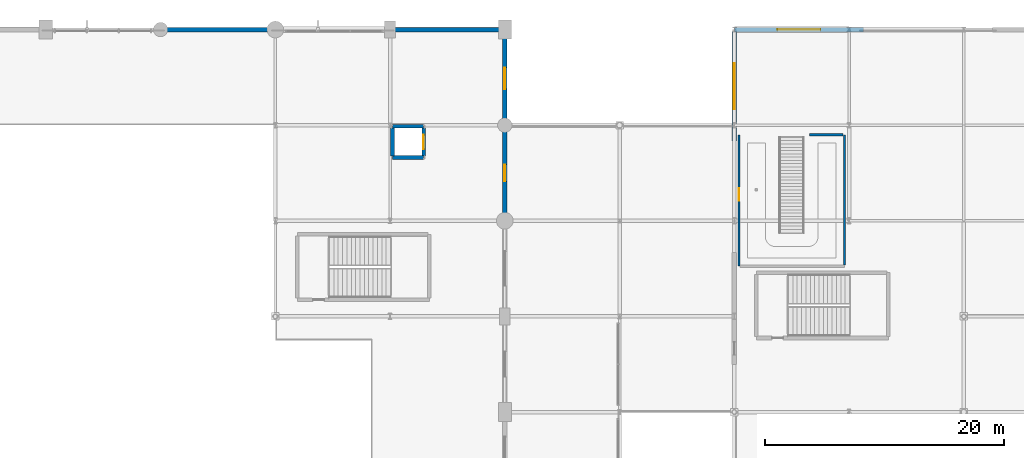
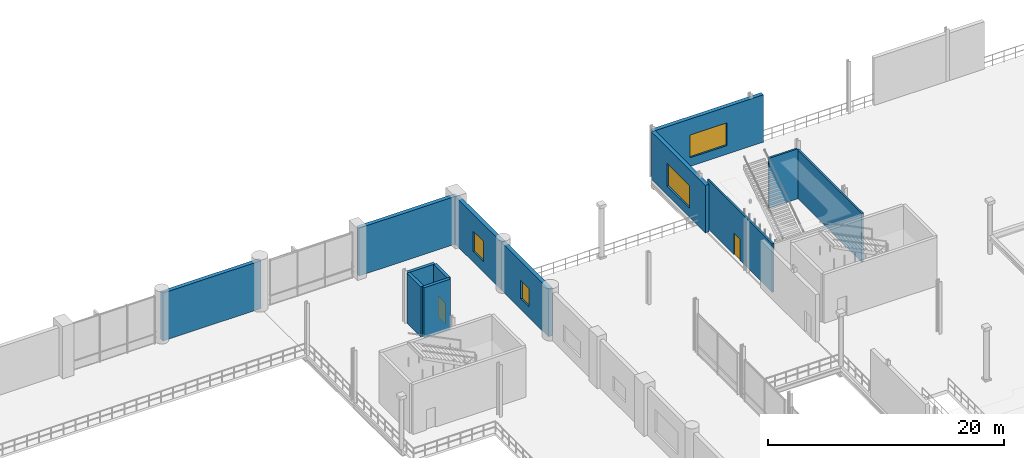
# One storey, part 86 of 129: 13 walls, 4 windows, 2 doors, 6 openings.
"""IFC4 building model written with IfcOpenShell, lengths in metres."""

from ifc_helpers import new_model, si_unit, direction, frame, frame_2d, origin, place, context, subcontext, project, spatial, rectangle, extrude, material, layer, layer_set, type_object, element, fill, save


model = new_model("IFC4")

# Units and contexts
model_context = context("Model", 3, precision=1e-05, world=origin(), true_north=direction((0.0, 1.0)))
body_context = subcontext(model_context, "Body", "Model", "MODEL_VIEW")
ifc_project = project(units=[si_unit("LENGTHUNIT", "METRE"), si_unit("AREAUNIT", "SQUARE_METRE"), si_unit("VOLUMEUNIT", "CUBIC_METRE"), si_unit("PLANEANGLEUNIT", "RADIAN"), si_unit("MASSUNIT", "GRAM", prefix="KILO")], contexts=[model_context])

# Site, building, storey
site_placement = place(None, origin())
site = spatial("IfcSite", under=ifc_project, at=site_placement, CompositionType="ELEMENT")
building_placement = place(site_placement, origin())
building = spatial("IfcBuilding", under=site, at=building_placement, Name="Danafjord Basin Convention Centre", CompositionType="ELEMENT")
storey_placement = place(building_placement, frame((0.0, 0.0, 6.0)))
storey = spatial("IfcBuildingStorey", under=building, at=storey_placement, Name="L01", CompositionType="ELEMENT", Elevation=6.0)

# Walls
ifc_material_1 = material(Name="Concrete C40/50", Category="concrete")
ifc_layer_1 = layer(ifc_material_1, 0.300048828125)
ifc_layer_set_1 = layer_set([ifc_layer_1], Name="Concrete C40/50")
wall_type_1 = type_object("IfcWallType", Name="WALL-CW-CORE300", PredefinedType="SHEAR", material=ifc_layer_set_1)
for number, where, z_axis, x_axis, name in (
    (1, (108.39990234375, 135.89990234375, 0.0), (0.0, 0.0, 1.0), (-1.0, 0.0, 0.0), "Lift LF-P04 shaft shear wall"),
    (2, (105.800048828125, 133.300048828125, 0.0), (0.0, 0.0, 1.0), (1.0, 0.0, 0.0), "Lift LF-P04 shaft shear wall"),
):
    element("IfcWall", number, at=place(storey_placement, frame(where, z_axis=z_axis, x_axis=x_axis)), inside=storey, type_object=wall_type_1, Name=name, PredefinedType="SHEAR", context=body_context, shape_type="SweptSolid", body=[
        extrude(rectangle(XDim=2.599853515625, YDim=0.300048828125, at=frame_2d((1.2998046875, 0.0))), origin(), (0.0, 0.0, 1.0), 5.169921875),
    ])

# Wall, opening, door
wall_1_placement = place(storey_placement, frame((108.39990234375, 133.43505859375, 0.0), z_axis=(0.0, 0.0, 1.0), x_axis=(0.0, 1.0, 0.0)))
wall_1 = element("IfcWall", 3, at=wall_1_placement, inside=storey, type_object=wall_type_1, Name="Lift LF-P04 shaft shear wall", PredefinedType="SHEAR", context=body_context, shape_type="SweptSolid", body=[
    extrude(rectangle(XDim=2.329833984375, YDim=0.300048828125, at=frame_2d((1.1650390625, 0.0))), origin(), (0.0, 0.0, 1.0), 5.169921875),
])
opening_1_placement = place(wall_1_placement, frame((0.56494140625, 0.0, 0.0)))
opening_1 = element("IfcOpeningElement", 4, at=opening_1_placement, cuts=wall_1, Name="Opening LD-P01", PredefinedType="OPENING", context=body_context, shape_type="SweptSolid", body=[
    extrude(rectangle(XDim=1.199951171875, YDim=2.199951171875, at=frame_2d((0.60009765625, 1.10009765625))), frame((0.0, 0.159912109375, 0.0), z_axis=(0.0, -1.0, 0.0), x_axis=(1.0, 0.0, 0.0)), (0.0, 0.0, 1.0), 0.320068359375),
])
ifc_material_2 = material(Name="Brushed stainless steel and acoustic laminated glass", Category="steel")
door_type_1 = type_object("IfcDoorType", Name="DOOR-LD-P01", OperationType="DOUBLE_DOOR_SLIDING", PredefinedType="DOOR", material=ifc_material_2)
door_1_placement = place(opening_1_placement, origin())
door_1 = element("IfcDoor", 5, at=door_1_placement, inside=storey, type_object=door_type_1, Name="Lift LF-P04 L01 Landing Door", OperationType="DOUBLE_DOOR_SLIDING", OverallHeight=2.199951171875, OverallWidth=1.199951171875, PredefinedType="DOOR", context=body_context, shape_type="SweptSolid", body=[
    extrude(rectangle(XDim=1.199951171875, YDim=2.199951171875, at=frame_2d((0.60009765625, 1.10009765625))), frame((0.0, 0.02490234375, 0.0), z_axis=(0.0, -1.0, 0.0), x_axis=(1.0, 0.0, 0.0)), (0.0, 0.0, 1.0), 0.050048828125),
])
fill(opening_1, door_1)

# Walls
wall_2_placement = place(storey_placement, frame((105.800048828125, 135.764892578125, 0.0), z_axis=(0.0, 0.0, 1.0), x_axis=(0.0, -1.0, 0.0)))
element("IfcWall", 6, at=wall_2_placement, inside=storey, type_object=wall_type_1, Name="Lift LF-P04 shaft shear wall", PredefinedType="SHEAR", context=body_context, shape_type="SweptSolid", body=[
    extrude(rectangle(XDim=2.329833984375, YDim=0.300048828125, at=frame_2d((1.1650390625, 0.0))), origin(), (0.0, 0.0, 1.0), 5.169921875),
])
ifc_material_3 = material(Name="Precast concrete C45/55", Category="concrete")
ifc_layer_2 = layer(ifc_material_3, 0.3798828125)
ifc_layer_set_2 = layer_set([ifc_layer_2], Name="Precast concrete C45/55")
wall_type_2 = type_object("IfcWallType", Name="WALL-EW-PC380", PredefinedType="SOLIDWALL", material=ifc_layer_set_2)
wall_3_placement = place(storey_placement, frame((86.39990234375, 144.0, 0.0), z_axis=(0.0, 0.0, 1.0), x_axis=(1.0, 0.0, 0.0)))
element("IfcWall", 7, at=wall_3_placement, inside=storey, type_object=wall_type_2, Name="Exhibition hall N upper acoustic precast wall", PredefinedType="SOLIDWALL", context=body_context, shape_type="SweptSolid", body=[
    extrude(rectangle(XDim=9.60009765625, YDim=0.3798828125, at=frame_2d((4.800048828125, 0.0))), origin(), (0.0, 0.0, 1.0), 4.949951171875),
])
wall_4_placement = place(storey_placement, frame((105.60009765625, 144.0, 0.0), z_axis=(0.0, 0.0, 1.0), x_axis=(1.0, 0.0, 0.0)))
element("IfcWall", 8, at=wall_4_placement, inside=storey, type_object=wall_type_2, Name="Exhibition hall N upper acoustic precast wall", PredefinedType="SOLIDWALL", context=body_context, shape_type="SweptSolid", body=[
    extrude(rectangle(XDim=9.599853515625, YDim=0.3798828125, at=frame_2d((4.7998046875, 0.0))), origin(), (0.0, 0.0, 1.0), 4.949951171875),
])

# Wall, opening, window
wall_5_placement = place(storey_placement, frame((115.199951171875, 128.0, 0.0), z_axis=(0.0, 0.0, 1.0), x_axis=(0.0, 1.0, 0.0)))
wall_5 = element("IfcWall", 9, at=wall_5_placement, inside=storey, type_object=wall_type_2, Name="Exhibition hall E upper precast wall", PredefinedType="SOLIDWALL", context=body_context, shape_type="SweptSolid", body=[
    extrude(rectangle(XDim=8.0, YDim=0.3798828125, at=frame_2d((4.0, 0.0))), origin(), (0.0, 0.0, 1.0), 4.949951171875),
])
opening_2_placement = place(wall_5_placement, frame((3.300048828125, 0.0, 1.10009765625)))
opening_2 = element("IfcOpeningElement", 10, at=opening_2_placement, cuts=wall_5, Name="Opening WN-02", PredefinedType="OPENING", context=body_context, shape_type="SweptSolid", body=[
    extrude(rectangle(XDim=1.39990234375, YDim=1.89990234375, at=frame_2d((0.699951171875, 0.949951171875))), frame((0.0, 0.199951171875, 0.0), z_axis=(0.0, -1.0, 0.0), x_axis=(1.0, 0.0, 0.0)), (0.0, 0.0, 1.0), 0.39990234375),
])
ifc_material_4 = material(Name="Thermally broken aluminium and triple low-E glass", Category="aluminium")
window_type_1 = type_object("IfcWindowType", Name="WIN-WN-02", PartitioningType="SINGLE_PANEL", PredefinedType="WINDOW", material=ifc_material_4)
window_1_placement = place(opening_2_placement, origin())
window_1 = element("IfcWindow", 11, at=window_1_placement, inside=storey, type_object=window_type_1, Name="L01 hall window WN-02", OverallHeight=1.89990234375, OverallWidth=1.39990234375, PartitioningType="SINGLE_PANEL", PredefinedType="WINDOW", context=body_context, shape_type="SweptSolid", body=[
    extrude(rectangle(XDim=1.39990234375, YDim=1.89990234375, at=frame_2d((0.699951171875, 0.949951171875))), frame((0.0, 0.030029296875, 0.0), z_axis=(0.0, -1.0, 0.0), x_axis=(1.0, 0.0, 0.0)), (0.0, 0.0, 1.0), 0.06005859375),
])
fill(opening_2, window_1)

wall_6_placement = place(storey_placement, frame((115.199951171875, 136.0, 0.0), z_axis=(0.0, 0.0, 1.0), x_axis=(0.0, 1.0, 0.0)))
wall_6 = element("IfcWall", 12, at=wall_6_placement, inside=storey, type_object=wall_type_2, Name="Exhibition hall E upper precast wall", PredefinedType="SOLIDWALL", context=body_context, shape_type="SweptSolid", body=[
    extrude(rectangle(XDim=7.824951171875, YDim=0.3798828125, at=frame_2d((3.91259765625, 0.0))), origin(), (0.0, 0.0, 1.0), 4.949951171875),
])
opening_3_placement = place(wall_6_placement, frame((3.011962890625, 0.0, 1.10009765625)))
opening_3 = element("IfcOpeningElement", 13, at=opening_3_placement, cuts=wall_6, Name="Opening WN-04", PredefinedType="OPENING", context=body_context, shape_type="SweptSolid", body=[
    extrude(rectangle(XDim=1.800048828125, YDim=2.10009765625, at=frame_2d((0.89990234375, 1.050048828125))), frame((0.0, 0.199951171875, 0.0), z_axis=(0.0, -1.0, 0.0), x_axis=(1.0, 0.0, 0.0)), (0.0, 0.0, 1.0), 0.39990234375),
])
window_type_2 = type_object("IfcWindowType", Name="WIN-WN-04", PartitioningType="SINGLE_PANEL", PredefinedType="WINDOW", material=ifc_material_4)
window_2_placement = place(opening_3_placement, origin())
window_2 = element("IfcWindow", 14, at=window_2_placement, inside=storey, type_object=window_type_2, Name="L01 hall window WN-04", OverallHeight=2.10009765625, OverallWidth=1.800048828125, PartitioningType="SINGLE_PANEL", PredefinedType="WINDOW", context=body_context, shape_type="SweptSolid", body=[
    extrude(rectangle(XDim=1.800048828125, YDim=2.10009765625, at=frame_2d((0.89990234375, 1.050048828125))), frame((0.0, 0.030029296875, 0.0), z_axis=(0.0, -1.0, 0.0), x_axis=(1.0, 0.0, 0.0)), (0.0, 0.0, 1.0), 0.06005859375),
])
fill(opening_3, window_2)

wall_7_placement = place(storey_placement, frame((145.199951171875, 144.0, 0.0), z_axis=(0.0, 0.0, 1.0), x_axis=(-1.0, 0.0, 0.0)))
wall_7 = element("IfcWall", 15, at=wall_7_placement, inside=storey, type_object=wall_type_2, Name="L01 plenary drum precast facet wall", PredefinedType="SOLIDWALL", context=body_context, shape_type="SweptSolid", body=[
    extrude(rectangle(XDim=10.800048828125, YDim=0.3798828125, at=frame_2d((5.39990234375, 0.0))), origin(), (0.0, 0.0, 1.0), 4.89990234375),
])
opening_4_placement = place(wall_7_placement, frame((3.60009765625, 0.0, 0.89990234375)))
opening_4 = element("IfcOpeningElement", 16, at=opening_4_placement, cuts=wall_7, Name="Opening WN-13", PredefinedType="OPENING", context=body_context, shape_type="SweptSolid", body=[
    extrude(rectangle(XDim=3.60009765625, YDim=2.35009765625, at=frame_2d((1.800048828125, 1.175048828125))), frame((0.0, 0.199951171875, 0.0), z_axis=(0.0, -1.0, 0.0), x_axis=(1.0, 0.0, 0.0)), (0.0, 0.0, 1.0), 0.39990234375),
])
window_type_3 = type_object("IfcWindowType", Name="WIN-WN-13", PartitioningType="SINGLE_PANEL", PredefinedType="WINDOW", material=ifc_material_4)
window_3_placement = place(opening_4_placement, origin())
window_3 = element("IfcWindow", 17, at=window_3_placement, inside=storey, type_object=window_type_3, Name="L01 plenary drum window WN-13", OverallHeight=2.35009765625, OverallWidth=3.60009765625, PartitioningType="SINGLE_PANEL", PredefinedType="WINDOW", context=body_context, shape_type="SweptSolid", body=[
    extrude(rectangle(XDim=3.60009765625, YDim=2.35009765625, at=frame_2d((1.800048828125, 1.175048828125))), frame((0.0, 0.030029296875, 0.0), z_axis=(0.0, -1.0, 0.0), x_axis=(1.0, 0.0, 0.0)), (0.0, 0.0, 1.0), 0.06005859375),
])
fill(opening_4, window_3)

wall_8_placement = place(storey_placement, frame((134.39990234375, 143.824951171875, 0.0), z_axis=(0.0, 0.0, 1.0), x_axis=(0.0, -1.0, 0.0)))
wall_8 = element("IfcWall", 18, at=wall_8_placement, inside=storey, type_object=wall_type_2, Name="L01 plenary drum precast facet wall", PredefinedType="SOLIDWALL", context=body_context, shape_type="SweptSolid", body=[
    extrude(rectangle(XDim=9.157958984375, YDim=0.3798828125, at=frame_2d((4.5791015625, 0.0))), origin(), (0.0, 0.0, 1.0), 4.89990234375),
])
opening_5_placement = place(wall_8_placement, frame((2.654052734375, 0.0, 0.89990234375)))
opening_5 = element("IfcOpeningElement", 19, at=opening_5_placement, cuts=wall_8, Name="Opening WN-14", PredefinedType="OPENING", context=body_context, shape_type="SweptSolid", body=[
    extrude(rectangle(XDim=3.85009765625, YDim=2.35009765625, at=frame_2d((1.925048828125, 1.175048828125))), frame((0.0, 0.199951171875, 0.0), z_axis=(0.0, -1.0, 0.0), x_axis=(1.0, 0.0, 0.0)), (0.0, 0.0, 1.0), 0.39990234375),
])
window_type_4 = type_object("IfcWindowType", Name="WIN-WN-14", PartitioningType="SINGLE_PANEL", PredefinedType="WINDOW", material=ifc_material_4)
window_4_placement = place(opening_5_placement, origin())
window_4 = element("IfcWindow", 20, at=window_4_placement, inside=storey, type_object=window_type_4, Name="L01 plenary drum window WN-14", OverallHeight=2.35009765625, OverallWidth=3.85009765625, PartitioningType="SINGLE_PANEL", PredefinedType="WINDOW", context=body_context, shape_type="SweptSolid", body=[
    extrude(rectangle(XDim=3.85009765625, YDim=2.35009765625, at=frame_2d((1.925048828125, 1.175048828125))), frame((0.0, 0.030029296875, 0.0), z_axis=(0.0, -1.0, 0.0), x_axis=(1.0, 0.0, 0.0)), (0.0, 0.0, 1.0), 0.06005859375),
])
fill(opening_5, window_4)

# Wall, opening, door
ifc_material_5 = material(Name="Acoustic double-board gypsum stud partition")
ifc_layer_3 = layer(ifc_material_5, 0.175048828125)
ifc_layer_set_3 = layer_set([ifc_layer_3], Name="Acoustic double-board gypsum stud partition")
wall_type_3 = type_object("IfcWallType", Name="WALL-PT-AC175", PredefinedType="PARTITIONING", material=ifc_layer_set_3)
wall_9_placement = place(storey_placement, frame((134.800048828125, 135.199951171875, 0.0), z_axis=(0.0, 0.0, 1.0), x_axis=(0.0, -1.0, 0.0)))
wall_9 = element("IfcWall", 21, at=wall_9_placement, inside=storey, type_object=wall_type_3, Name="Speaker Media and Interpretation Suite west partition", PredefinedType="PARTITIONING", context=body_context, shape_type="SweptSolid", body=[
    extrude(rectangle(XDim=11.0, YDim=0.175048828125, at=frame_2d((5.5, 0.0))), origin(), (0.0, 0.0, 1.0), 5.0400390625),
])
opening_6_placement = place(wall_9_placement, frame((4.4951171875, 0.0, 0.0)))
opening_6 = element("IfcOpeningElement", 22, at=opening_6_placement, cuts=wall_9, Name="Opening FD-S12", PredefinedType="OPENING", context=body_context, shape_type="SweptSolid", body=[
    extrude(rectangle(XDim=1.010009765625, YDim=2.219970703125, at=frame_2d((0.5048828125, 1.10986328125))), frame((0.0, 0.097412109375, 0.0), z_axis=(0.0, -1.0, 0.0), x_axis=(1.0, 0.0, 0.0)), (0.0, 0.0, 1.0), 0.195068359375),
])
ifc_material_6 = material(Name="Powder-coated steel and Nordic oak", Category="steel")
door_type_2 = type_object("IfcDoorType", Name="DOOR-FD-S12", OperationType="NOTDEFINED", PredefinedType="DOOR", material=ifc_material_6)
door_2_placement = place(opening_6_placement, origin())
door_2 = element("IfcDoor", 23, at=door_2_placement, inside=storey, type_object=door_type_2, Name="Speaker Media and Interpretation Suite Entrance Door", OperationType="SINGLE_SWING_LEFT", OverallHeight=2.219970703125, OverallWidth=1.010009765625, PredefinedType="DOOR", context=body_context, shape_type="SweptSolid", body=[
    extrude(rectangle(XDim=1.010009765625, YDim=2.219970703125, at=frame_2d((0.5048828125, 1.10986328125))), frame((0.0, 0.02490234375, 0.0), z_axis=(0.0, -1.0, 0.0), x_axis=(1.0, 0.0, 0.0)), (0.0, 0.0, 1.0), 0.050048828125),
])
fill(opening_6, door_2)

# Walls
wall_10_placement = place(storey_placement, frame((143.60009765625, 124.29150390625, 0.0), z_axis=(0.0, 0.0, 1.0), x_axis=(0.0, 1.0, 0.0)))
element("IfcWall", 24, at=wall_10_placement, inside=storey, type_object=wall_type_3, Name="Speaker Media and Interpretation Suite east partition", PredefinedType="PARTITIONING", context=body_context, shape_type="SweptSolid", body=[
    extrude(rectangle(XDim=10.908447265625, YDim=0.175048828125, at=frame_2d((5.4541015625, 0.0))), origin(), (0.0, 0.0, 1.0), 5.0400390625),
])
wall_11_placement = place(storey_placement, frame((143.508544921875, 135.199951171875, 0.0), z_axis=(0.0, 0.0, 1.0), x_axis=(-1.0, 0.0, 0.0)))
element("IfcWall", 25, at=wall_11_placement, inside=storey, type_object=wall_type_3, Name="Speaker Media and Interpretation Suite north partition", PredefinedType="PARTITIONING", context=body_context, shape_type="SweptSolid", body=[
    extrude(rectangle(XDim=2.80859375, YDim=0.175048828125, at=frame_2d((1.404296875, 0.0))), origin(), (0.0, 0.0, 1.0), 5.169921875),
])

save(model, "model.ifc")
